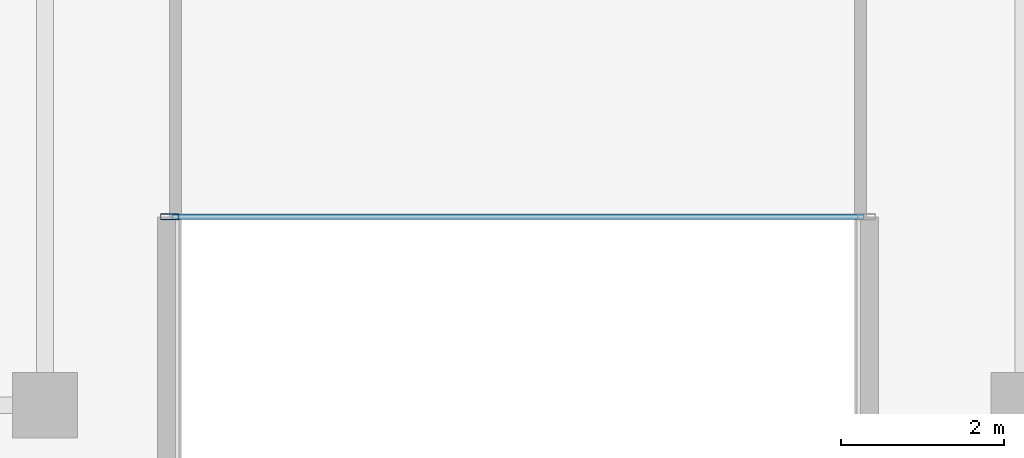
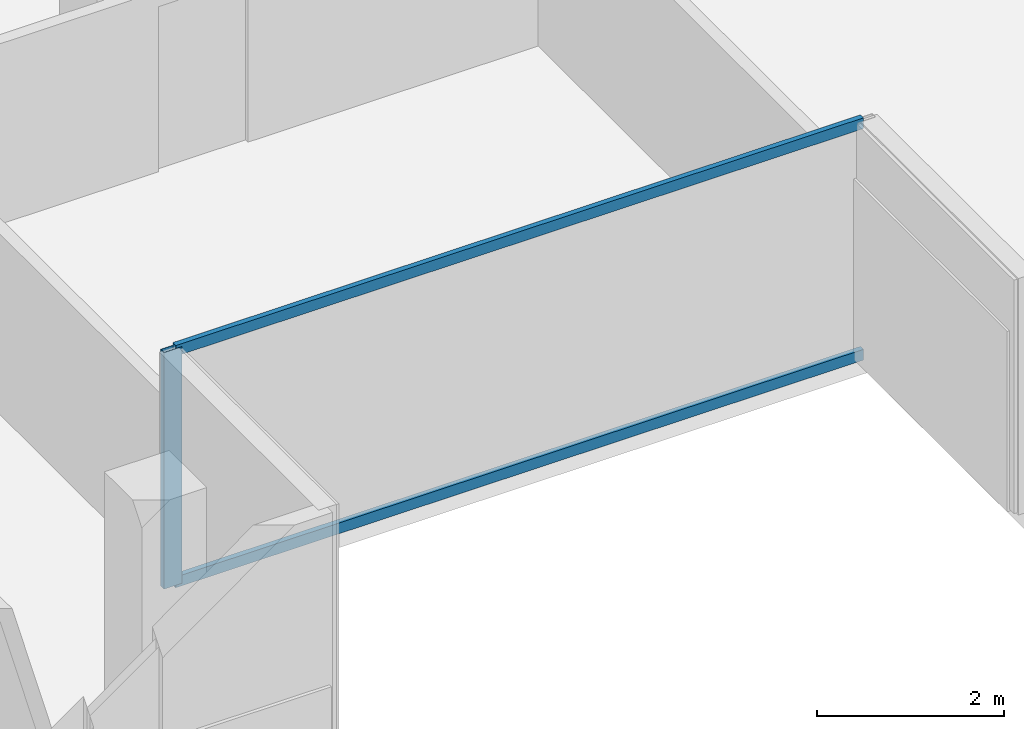
# One storey, part 4 of 28: 3 members, 1 element without a shape of its own.
"""IFC4 building model written with IfcOpenShell, lengths in metres."""

from ifc_helpers import new_model, si_unit, direction, frame, origin, origin_2d, place, context, subcontext, project, spatial, hollow_rectangle, extrude, material, layer, layer_set, material_profile, profile_set, type_object, element, aggregate, save


model = new_model("IFC4")

# Units and contexts
model_context = context("Model", 3, precision=1e-05, world=origin(), true_north=direction((0.0, 1.0)))
body_context = subcontext(model_context, "Body", "Model", "MODEL_VIEW")
ifc_project = project(units=[si_unit("LENGTHUNIT", "METRE"), si_unit("AREAUNIT", "SQUARE_METRE"), si_unit("VOLUMEUNIT", "CUBIC_METRE"), si_unit("PLANEANGLEUNIT", "RADIAN"), si_unit("MASSUNIT", "GRAM", prefix="KILO")], contexts=[model_context])

# Site, building, storey
site_placement = place(None, origin())
site = spatial("IfcSite", under=ifc_project, at=site_placement, CompositionType="ELEMENT")
building_placement = place(site_placement, origin())
building = spatial("IfcBuilding", under=site, at=building_placement, Name="Tanjung Sevakor Pilgrim Tower", CompositionType="ELEMENT")
storey_placement = place(building_placement, frame((0.0, 0.0, 185.1298828125)))
storey = spatial("IfcBuildingStorey", under=building, at=storey_placement, Name="L51", CompositionType="ELEMENT", Elevation=185.1298828125)

# Curtain wall, members
ifc_material_1 = material(Name="Aluminium 6063-T6 and Low-E Glass", Category="aluminium")
ifc_layer = layer(ifc_material_1, 0.179931640625)
ifc_layer_set = layer_set([ifc_layer], Name="CW-SYS-CLEFT")
curtain_wall_type = type_object("IfcCurtainWallType", Name="CW-SYS-CLEFT", PredefinedType="NOTDEFINED", material=ifc_layer_set)
curtain_wall_placement = place(storey_placement, origin())
curtain_wall = element("IfcCurtainWall", 1, at=curtain_wall_placement, inside=storey, type_object=curtain_wall_type, Name="L51 Curtain Wall CW-CLF-L51-2", PredefinedType="NOTDEFINED")
ifc_material_2 = material(Name="Aluminium 6063-T6", Category="aluminium")
ifc_material_profile_1 = material_profile(ifc_material_2, hollow_rectangle(XDim=0.074951171875, YDim=0.219970703125, WallThickness=0.0048828125, at=origin_2d()))
ifc_profile_set_1 = profile_set([ifc_material_profile_1], Name="Aluminium 6063-T6")
member_type_1 = type_object("IfcMemberType", Name="TYPE-CWM-2", PredefinedType="MULLION", material=ifc_profile_set_1)
member_1_placement = place(storey_placement, frame((43.527587890625, 15.56005859375, 0.0), z_axis=(0.0, 0.0, 1.0), x_axis=(0.0, 1.0, 0.0)))
member_1 = element("IfcMember", 2, at=member_1_placement, type_object=member_type_1, Name="CW-CLF mullion 1", PredefinedType="MULLION", context=body_context, shape_type="SweptSolid", body=[
    extrude(hollow_rectangle(XDim=0.074951171875, YDim=0.219970703125, WallThickness=0.0048828125, at=origin_2d()), origin(), (0.0, 0.0, 1.0), 3.080078125),
])
ifc_material_3 = material(Name="Aluminium 6063-T6", Category="aluminium")
ifc_material_profile_2 = material_profile(ifc_material_3, hollow_rectangle(XDim=0.06494140625, YDim=0.139892578125, WallThickness=0.00390625, at=origin_2d()))
ifc_profile_set_2 = profile_set([ifc_material_profile_2], Name="Aluminium 6063-T6")
member_type_2 = type_object("IfcMemberType", Name="TYPE-CWT-1", PredefinedType="USERDEFINED", material=ifc_profile_set_2)
member_2_placement = place(storey_placement, frame((43.56494140625, 15.56005859375, 0.03271484375), z_axis=(1.0, 0.0, 0.0), x_axis=(0.0, 1.0, 0.0)))
member_2 = element("IfcMember", 3, at=member_2_placement, type_object=member_type_2, Name="CW-CLF transom 1.1", ObjectType="TRANSOM", PredefinedType="USERDEFINED", context=body_context, shape_type="SweptSolid", body=[
    extrude(hollow_rectangle(XDim=0.06494140625, YDim=0.139892578125, WallThickness=0.00390625, at=origin_2d()), origin(), (0.0, 0.0, 1.0), 8.469970703125),
])
member_3_placement = place(storey_placement, frame((43.56494140625, 15.56005859375, 3.047607421875), z_axis=(1.0, 0.0, 0.0), x_axis=(0.0, 1.0, 0.0)))
member_3 = element("IfcMember", 4, at=member_3_placement, type_object=member_type_2, Name="CW-CLF transom 1.2", ObjectType="TRANSOM", PredefinedType="USERDEFINED", context=body_context, shape_type="SweptSolid", body=[
    extrude(hollow_rectangle(XDim=0.06494140625, YDim=0.139892578125, WallThickness=0.00390625, at=origin_2d()), origin(), (0.0, 0.0, 1.0), 8.469970703125),
])
aggregate(curtain_wall, [member_1, member_2, member_3])

save(model, "model.ifc")
